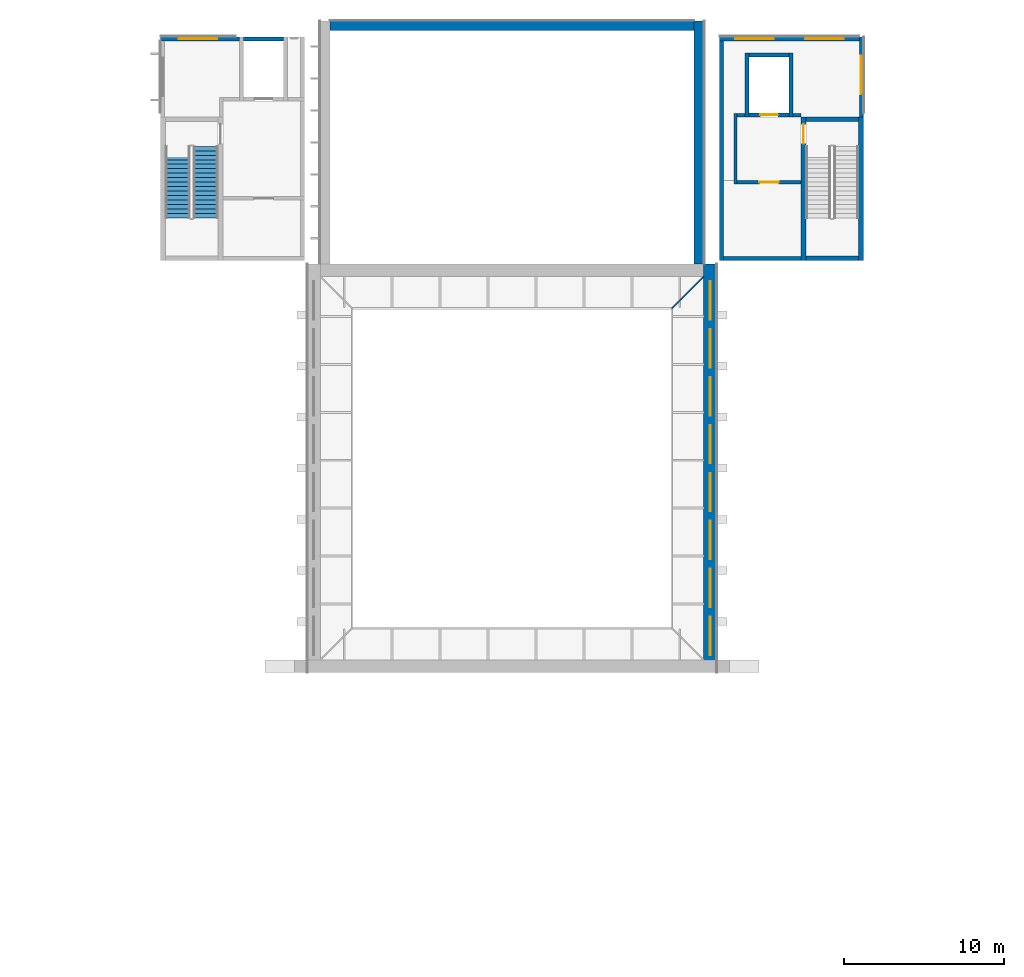
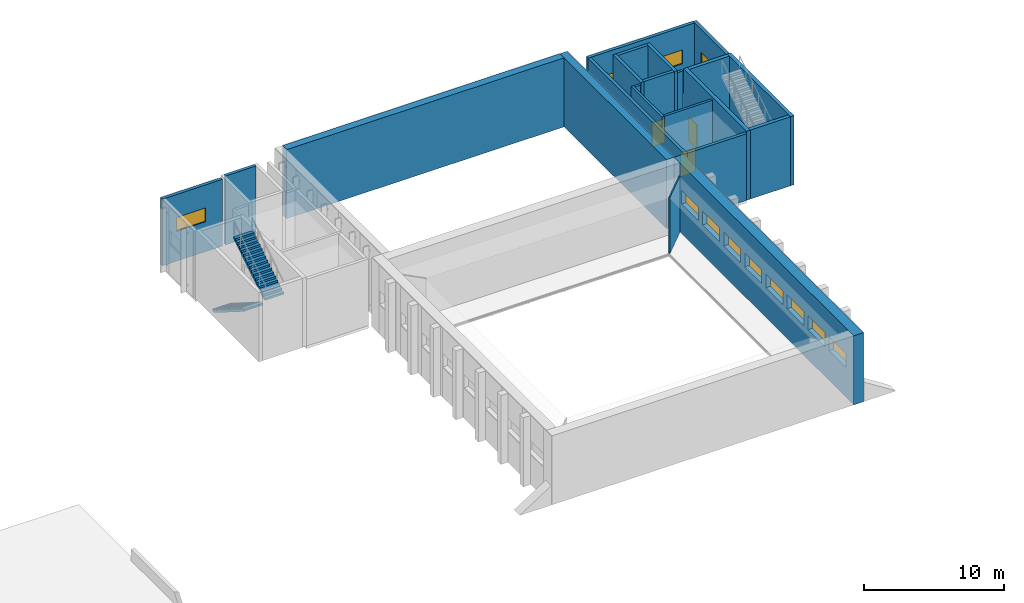
# One storey, part 13 of 22: 22 walls, 12 windows, 3 doors, 2 stair flights, 15 openings, 1 element without a shape of its own.
"""IFC4 building model written with IfcOpenShell, lengths in metres."""

from ifc_helpers import new_model, si_unit, direction, frame, frame_2d, origin, place, context, subcontext, project, spatial, polyline, rectangle, outline, extrude, material, layer, layer_set, type_object, element, fill, aggregate, save


model = new_model("IFC4")

# Units and contexts
model_context = context("Model", 3, precision=1e-05, world=origin(), true_north=direction((0.0, 1.0)))
body_context = subcontext(model_context, "Body", "Model", "MODEL_VIEW")
ifc_project = project(units=[si_unit("LENGTHUNIT", "METRE"), si_unit("AREAUNIT", "SQUARE_METRE"), si_unit("VOLUMEUNIT", "CUBIC_METRE"), si_unit("PLANEANGLEUNIT", "RADIAN"), si_unit("MASSUNIT", "GRAM", prefix="KILO")], contexts=[model_context])

# Site, building, storey
site_placement = place(None, origin())
site = spatial("IfcSite", under=ifc_project, at=site_placement, CompositionType="ELEMENT")
building_placement = place(site_placement, origin())
building = spatial("IfcBuilding", under=site, at=building_placement, Name="Lunette Opera House", CompositionType="ELEMENT")
storey_placement = place(building_placement, frame((0.0, 0.0, 28.0)))
storey = spatial("IfcBuildingStorey", under=building, at=storey_placement, Name="L05", CompositionType="ELEMENT", Elevation=28.0)

# Walls
ifc_material_1 = material(Name="Concrete C35/45", Category="concrete")
ifc_layer_1 = layer(ifc_material_1, 0.199951171875)
ifc_layer_set_1 = layer_set([ifc_layer_1], Name="Concrete C35/45")
wall_type_1 = type_object("IfcWallType", Name="LOBBY WALL 200", PredefinedType="PARTITIONING", material=ifc_layer_set_1)
wall_1_placement = place(storey_placement, frame((114.080078125, 130.10009765625, 0.0), z_axis=(0.0, 0.0, 1.0), x_axis=(-1.0, 0.0, 0.0)))
element("IfcWall", 1, at=wall_1_placement, inside=storey, type_object=wall_type_1, Name="FL3 lobby wall 2a", PredefinedType="PARTITIONING", context=body_context, shape_type="SweptSolid", body=[
    extrude(rectangle(XDim=0.489990234375, YDim=0.199951171875, at=frame_2d((0.2451171875, 0.0))), origin(), (0.0, 0.0, 1.0), 5.800048828125),
])
wall_2_placement = place(storey_placement, frame((110.580078125, 130.10009765625, 0.0), z_axis=(0.0, 0.0, 1.0), x_axis=(-1.0, 0.0, 0.0)))
element("IfcWall", 2, at=wall_2_placement, inside=storey, type_object=wall_type_1, Name="FL3 lobby wall 2b", PredefinedType="PARTITIONING", context=body_context, shape_type="SweptSolid", body=[
    extrude(rectangle(XDim=0.47998046875, YDim=0.199951171875, at=frame_2d((0.239990234375, 0.0))), origin(), (0.0, 0.0, 1.0), 5.800048828125),
])
wall_3_placement = place(storey_placement, frame((110.0, 130.199951171875, 0.0), z_axis=(0.0, 0.0, 1.0), x_axis=(0.0, -1.0, 0.0)))
element("IfcWall", 3, at=wall_3_placement, inside=storey, type_object=wall_type_1, Name="FL3 lobby wall 3a", PredefinedType="PARTITIONING", context=body_context, shape_type="SweptSolid", body=[
    extrude(rectangle(XDim=4.39990234375, YDim=0.199951171875, at=frame_2d((2.199951171875, 0.0))), origin(), (0.0, 0.0, 1.0), 5.800048828125),
])

# Wall, opening, door
wall_4_placement = place(storey_placement, frame((110.10009765625, 125.89990234375, 0.0), z_axis=(0.0, 0.0, 1.0), x_axis=(1.0, 0.0, 0.0)))
wall_4 = element("IfcWall", 4, at=wall_4_placement, inside=storey, type_object=wall_type_1, Name="FL3 lobby wall 4a", PredefinedType="PARTITIONING", context=body_context, shape_type="SweptSolid", body=[
    extrude(rectangle(XDim=3.97998046875, YDim=0.199951171875, at=frame_2d((1.989990234375, 0.0))), origin(), (0.0, 0.0, 1.0), 5.800048828125),
])
opening_1_placement = place(wall_4_placement, frame((1.389892578125, 0.0, 0.0)))
opening_1 = element("IfcOpeningElement", 5, at=opening_1_placement, cuts=wall_4, Name="Opening ST-D7030", PredefinedType="OPENING", context=body_context, shape_type="SweptSolid", body=[
    extrude(rectangle(XDim=1.199951171875, YDim=2.10009765625, at=frame_2d((0.60009765625, 1.050048828125))), frame((0.0, 0.112060546875, 0.0), z_axis=(0.0, -1.0, 0.0), x_axis=(1.0, 0.0, 0.0)), (0.0, 0.0, 1.0), 0.223876953125),
])
ifc_material_2 = material(Name="Steel", Category="steel")
door_type_1 = type_object("IfcDoorType", Name="FIRE DOOR 1200 X 2100", OperationType="SINGLE_SWING_LEFT", PredefinedType="DOOR", material=ifc_material_2)
door_1_placement = place(opening_1_placement, origin())
door_1 = element("IfcDoor", 6, at=door_1_placement, inside=storey, type_object=door_type_1, Name="FL3 lobby door", OperationType="SINGLE_SWING_LEFT", OverallHeight=2.10009765625, OverallWidth=1.199951171875, PredefinedType="DOOR", context=body_context, shape_type="SweptSolid", body=[
    extrude(rectangle(XDim=1.199951171875, YDim=2.10009765625, at=frame_2d((0.60009765625, 1.050048828125))), frame((0.0, 0.02490234375, 0.0), z_axis=(0.0, -1.0, 0.0), x_axis=(1.0, 0.0, 0.0)), (0.0, 0.0, 1.0), 0.050048828125),
])
fill(opening_1, door_1)

# Walls
ifc_material_3 = material(Name="Concrete C35/45", Category="concrete")
ifc_layer_2 = layer(ifc_material_3, 0.25)
ifc_layer_set_2 = layer_set([ifc_layer_2], Name="Concrete C35/45")
wall_type_2 = type_object("IfcWallType", Name="RC LIFT SHAFT WALL 250", PredefinedType="SOLIDWALL", material=ifc_layer_set_2)
wall_5_placement = place(storey_placement, frame((113.47509765625, 130.0, 0.0), z_axis=(0.0, 0.0, 1.0), x_axis=(0.0, 1.0, 0.0)))
element("IfcWall", 7, at=wall_5_placement, inside=storey, type_object=wall_type_2, Name="FL3 shaft wall 1", PredefinedType="SOLIDWALL", context=body_context, shape_type="SweptSolid", body=[
    extrude(rectangle(XDim=4.0, YDim=0.25, at=frame_2d((2.0, 0.0))), origin(), (0.0, 0.0, 1.0), 6.0),
])
wall_6_placement = place(storey_placement, frame((113.35009765625, 133.875, 0.0), z_axis=(0.0, 0.0, 1.0), x_axis=(-1.0, 0.0, 0.0)))
element("IfcWall", 8, at=wall_6_placement, inside=storey, type_object=wall_type_2, Name="FL3 shaft wall 2", PredefinedType="SOLIDWALL", context=body_context, shape_type="SweptSolid", body=[
    extrude(rectangle(XDim=2.5, YDim=0.25, at=frame_2d((1.25, 0.0))), origin(), (0.0, 0.0, 1.0), 6.0),
])
wall_7_placement = place(storey_placement, frame((110.72509765625, 134.0, 0.0), z_axis=(0.0, 0.0, 1.0), x_axis=(0.0, -1.0, 0.0)))
element("IfcWall", 9, at=wall_7_placement, inside=storey, type_object=wall_type_2, Name="FL3 shaft wall 3", PredefinedType="SOLIDWALL", context=body_context, shape_type="SweptSolid", body=[
    extrude(rectangle(XDim=4.0, YDim=0.25, at=frame_2d((2.0, 0.0))), origin(), (0.0, 0.0, 1.0), 6.0),
])

# Wall, opening, door
wall_8_placement = place(storey_placement, frame((110.85009765625, 130.125, 0.0), z_axis=(0.0, 0.0, 1.0), x_axis=(1.0, 0.0, 0.0)))
wall_8 = element("IfcWall", 10, at=wall_8_placement, inside=storey, type_object=wall_type_2, Name="FL3 shaft wall 4", PredefinedType="SOLIDWALL", context=body_context, shape_type="SweptSolid", body=[
    extrude(rectangle(XDim=2.5, YDim=0.25, at=frame_2d((1.25, 0.0))), origin(), (0.0, 0.0, 1.0), 6.0),
])
opening_2_placement = place(wall_8_placement, frame((0.699951171875, 0.0, 0.0)))
opening_2 = element("IfcOpeningElement", 11, at=opening_2_placement, cuts=wall_8, Name="Opening ST-LD008", PredefinedType="OPENING", context=body_context, shape_type="SweptSolid", body=[
    extrude(rectangle(XDim=1.10009765625, YDim=2.10009765625, at=frame_2d((0.550048828125, 1.050048828125))), frame((0.0, 0.136962890625, 0.0), z_axis=(0.0, -1.0, 0.0), x_axis=(1.0, 0.0, 0.0)), (0.0, 0.0, 1.0), 0.27392578125),
])
ifc_material_4 = material(Name="Stainless steel", Category="steel")
door_type_2 = type_object("IfcDoorType", Name="LIFT LANDING DOOR 1100 X 2100", OperationType="DOUBLE_DOOR_SLIDING", PredefinedType="DOOR", material=ifc_material_4)
door_2_placement = place(opening_2_placement, origin())
door_2 = element("IfcDoor", 12, at=door_2_placement, inside=storey, type_object=door_type_2, Name="FL3 lift landing door", OperationType="DOUBLE_DOOR_SLIDING", OverallHeight=2.10009765625, OverallWidth=1.10009765625, PredefinedType="DOOR", context=body_context, shape_type="SweptSolid", body=[
    extrude(rectangle(XDim=1.10009765625, YDim=2.10009765625, at=frame_2d((0.550048828125, 1.050048828125))), frame((0.0, 0.02490234375, 0.0), z_axis=(0.0, -1.0, 0.0), x_axis=(1.0, 0.0, 0.0)), (0.0, 0.0, 1.0), 0.050048828125),
])
fill(opening_2, door_2)

# Walls
wall_9_placement = place(storey_placement, frame((81.699951171875, 134.875, 0.0), z_axis=(0.0, 0.0, 1.0), x_axis=(-1.0, 0.0, 0.0)))
element("IfcWall", 13, at=wall_9_placement, inside=storey, type_object=wall_type_2, Name="LF7 shaft wall 2", PredefinedType="SOLIDWALL", context=body_context, shape_type="SweptSolid", body=[
    extrude(rectangle(XDim=2.5, YDim=0.25, at=frame_2d((1.25, 0.0))), origin(), (0.0, 0.0, 1.0), 6.0),
])
ifc_material_5 = material(Name="Concrete C35/45", Category="concrete")
ifc_layer_3 = layer(ifc_material_5, 0.300048828125)
ifc_layer_set_3 = layer_set([ifc_layer_3], Name="Concrete C35/45")
wall_type_3 = type_object("IfcWallType", Name="RC STAIR ENCLOSURE WALL 300", PredefinedType="SOLIDWALL", material=ifc_layer_set_3)
wall_10_placement = place(storey_placement, frame((117.85009765625, 121.0, 0.0), z_axis=(0.0, 0.0, 1.0), x_axis=(0.0, 1.0, 0.0)))
element("IfcWall", 14, at=wall_10_placement, inside=storey, type_object=wall_type_3, Name="ST12 enclosure wall 1", PredefinedType="SOLIDWALL", context=body_context, shape_type="SweptSolid", body=[
    extrude(rectangle(XDim=9.0, YDim=0.300048828125, at=frame_2d((4.5, 0.0))), origin(), (0.0, 0.0, 1.0), 6.0),
])
wall_11_placement = place(storey_placement, frame((117.699951171875, 129.85009765625, 0.0), z_axis=(0.0, 0.0, 1.0), x_axis=(-1.0, 0.0, 0.0)))
element("IfcWall", 15, at=wall_11_placement, inside=storey, type_object=wall_type_3, Name="ST12 enclosure wall 2", PredefinedType="SOLIDWALL", context=body_context, shape_type="SweptSolid", body=[
    extrude(rectangle(XDim=3.300048828125, YDim=0.300048828125, at=frame_2d((1.64990234375, 0.0))), origin(), (0.0, 0.0, 1.0), 6.0),
])

# Wall, opening, door
wall_12_placement = place(storey_placement, frame((114.25, 130.0, 0.0), z_axis=(0.0, 0.0, 1.0), x_axis=(0.0, -1.0, 0.0)))
wall_12 = element("IfcWall", 16, at=wall_12_placement, inside=storey, type_object=wall_type_3, Name="ST12 enclosure wall 3", PredefinedType="SOLIDWALL", context=body_context, shape_type="SweptSolid", body=[
    extrude(rectangle(XDim=9.0, YDim=0.300048828125, at=frame_2d((4.5, 0.0))), origin(), (0.0, 0.0, 1.0), 6.0),
])
opening_3_placement = place(wall_12_placement, frame((0.47509765625, 0.0, 0.0)))
opening_3 = element("IfcOpeningElement", 17, at=opening_3_placement, cuts=wall_12, Name="Opening ST-D7017", PredefinedType="OPENING", context=body_context, shape_type="SweptSolid", body=[
    extrude(rectangle(XDim=1.199951171875, YDim=2.10009765625, at=frame_2d((0.60009765625, 1.050048828125))), frame((0.0, 0.162109375, 0.0), z_axis=(0.0, -1.0, 0.0), x_axis=(1.0, 0.0, 0.0)), (0.0, 0.0, 1.0), 0.323974609375),
])
door_3_placement = place(opening_3_placement, origin())
door_3 = element("IfcDoor", 18, at=door_3_placement, inside=storey, type_object=door_type_1, Name="ST12 stair door", OperationType="SINGLE_SWING_LEFT", OverallHeight=2.10009765625, OverallWidth=1.199951171875, PredefinedType="DOOR", context=body_context, shape_type="SweptSolid", body=[
    extrude(rectangle(XDim=1.199951171875, YDim=2.10009765625, at=frame_2d((0.60009765625, 1.050048828125))), frame((0.0, 0.02490234375, 0.0), z_axis=(0.0, -1.0, 0.0), x_axis=(1.0, 0.0, 0.0)), (0.0, 0.0, 1.0), 0.050048828125),
])
fill(opening_3, door_3)

# Walls
wall_13_placement = place(storey_placement, frame((114.39990234375, 121.14990234375, 0.0), z_axis=(0.0, 0.0, 1.0), x_axis=(1.0, 0.0, 0.0)))
element("IfcWall", 19, at=wall_13_placement, inside=storey, type_object=wall_type_3, Name="ST12 enclosure wall 4", PredefinedType="SOLIDWALL", context=body_context, shape_type="SweptSolid", body=[
    extrude(rectangle(XDim=3.300048828125, YDim=0.300048828125, at=frame_2d((1.64990234375, 0.0))), origin(), (0.0, 0.0, 1.0), 6.0),
])
ifc_material_6 = material(Name="Concrete C35/45", Category="concrete")
ifc_layer_4 = layer(ifc_material_6, 0.60009765625)
ifc_layer_set_4 = layer_set([ifc_layer_4], Name="Concrete C35/45")
wall_type_4 = type_object("IfcWallType", Name="RC WALL 600", PredefinedType="SHEAR", material=ifc_layer_set_4)
wall_14_placement = place(storey_placement, frame((107.699951171875, 120.800048828125, 0.0), z_axis=(0.0, 0.0, 1.0), x_axis=(0.0, 1.0, 0.0)))
element("IfcWall", 20, at=wall_14_placement, inside=storey, type_object=wall_type_4, Name="wall-ST-L05-SR-E-1", PredefinedType="SHEAR", context=body_context, shape_type="SweptSolid", body=[
    extrude(rectangle(XDim=15.199951171875, YDim=0.60009765625, at=frame_2d((7.60009765625, 0.0))), origin(), (0.0, 0.0, 1.0), 6.0),
])
wall_15_placement = place(storey_placement, frame((84.60009765625, 135.699951171875, 0.0), z_axis=(0.0, 0.0, 1.0), x_axis=(1.0, 0.0, 0.0)))
element("IfcWall", 21, at=wall_15_placement, inside=storey, type_object=wall_type_4, Name="wall-ST-L05-SR-N-1", PredefinedType="SHEAR", context=body_context, shape_type="SweptSolid", body=[
    extrude(rectangle(XDim=22.7998046875, YDim=0.60009765625, at=frame_2d((11.39990234375, 0.0))), origin(), (0.0, 0.0, 1.0), 6.0),
])

# Wall, openings, windows
ifc_material_7 = material(Name="Concrete C40/50", Category="concrete")
ifc_layer_5 = layer(ifc_material_7, 0.800048828125)
ifc_layer_set_5 = layer_set([ifc_layer_5], Name="Concrete C40/50")
wall_type_5 = type_object("IfcWallType", Name="RC WALL 800", PredefinedType="SHEAR", material=ifc_layer_set_5)
wall_16_placement = place(storey_placement, frame((108.39990234375, 95.199951171875, 0.0), z_axis=(0.0, 0.0, 1.0), x_axis=(0.0, 1.0, 0.0)))
wall_16 = element("IfcWall", 22, at=wall_16_placement, inside=storey, type_object=wall_type_5, Name="wall-ST-L05-WE-1", PredefinedType="SHEAR", context=body_context, shape_type="SweptSolid", body=[
    extrude(rectangle(XDim=25.60009765625, YDim=0.800048828125, at=frame_2d((12.800048828125, 0.0))), origin(), (0.0, 0.0, 1.0), 6.0),
])
opening_4_placement = place(wall_16_placement, frame((1.10009765625, 0.0, 2.60009765625)))
opening_4 = element("IfcOpeningElement", 23, at=opening_4_placement, cuts=wall_16, Name="Opening ST-N2041", PredefinedType="OPENING", context=body_context, shape_type="SweptSolid", body=[
    extrude(rectangle(XDim=2.39990234375, YDim=1.199951171875, at=frame_2d((1.199951171875, 0.60009765625))), frame((0.0, 0.412109375, 0.0), z_axis=(0.0, -1.0, 0.0), x_axis=(1.0, 0.0, 0.0)), (0.0, 0.0, 1.0), 0.823974609375),
])
opening_5_placement = place(wall_16_placement, frame((4.10009765625, 0.0, 2.60009765625)))
opening_5 = element("IfcOpeningElement", 24, at=opening_5_placement, cuts=wall_16, Name="Opening ST-N2042", PredefinedType="OPENING", context=body_context, shape_type="SweptSolid", body=[
    extrude(rectangle(XDim=2.39990234375, YDim=1.199951171875, at=frame_2d((1.199951171875, 0.60009765625))), frame((0.0, 0.412109375, 0.0), z_axis=(0.0, -1.0, 0.0), x_axis=(1.0, 0.0, 0.0)), (0.0, 0.0, 1.0), 0.823974609375),
])
opening_6_placement = place(wall_16_placement, frame((7.10009765625, 0.0, 2.60009765625)))
opening_6 = element("IfcOpeningElement", 25, at=opening_6_placement, cuts=wall_16, Name="Opening ST-N2043", PredefinedType="OPENING", context=body_context, shape_type="SweptSolid", body=[
    extrude(rectangle(XDim=2.39990234375, YDim=1.199951171875, at=frame_2d((1.199951171875, 0.60009765625))), frame((0.0, 0.412109375, 0.0), z_axis=(0.0, -1.0, 0.0), x_axis=(1.0, 0.0, 0.0)), (0.0, 0.0, 1.0), 0.823974609375),
])
opening_7_placement = place(wall_16_placement, frame((10.10009765625, 0.0, 2.60009765625)))
opening_7 = element("IfcOpeningElement", 26, at=opening_7_placement, cuts=wall_16, Name="Opening ST-N2044", PredefinedType="OPENING", context=body_context, shape_type="SweptSolid", body=[
    extrude(rectangle(XDim=2.39990234375, YDim=1.199951171875, at=frame_2d((1.199951171875, 0.60009765625))), frame((0.0, 0.412109375, 0.0), z_axis=(0.0, -1.0, 0.0), x_axis=(1.0, 0.0, 0.0)), (0.0, 0.0, 1.0), 0.823974609375),
])
opening_8_placement = place(wall_16_placement, frame((13.10009765625, 0.0, 2.60009765625)))
opening_8 = element("IfcOpeningElement", 27, at=opening_8_placement, cuts=wall_16, Name="Opening ST-N2045", PredefinedType="OPENING", context=body_context, shape_type="SweptSolid", body=[
    extrude(rectangle(XDim=2.39990234375, YDim=1.199951171875, at=frame_2d((1.199951171875, 0.60009765625))), frame((0.0, 0.412109375, 0.0), z_axis=(0.0, -1.0, 0.0), x_axis=(1.0, 0.0, 0.0)), (0.0, 0.0, 1.0), 0.823974609375),
])
opening_9_placement = place(wall_16_placement, frame((16.10009765625, 0.0, 2.60009765625)))
opening_9 = element("IfcOpeningElement", 28, at=opening_9_placement, cuts=wall_16, Name="Opening ST-N2046", PredefinedType="OPENING", context=body_context, shape_type="SweptSolid", body=[
    extrude(rectangle(XDim=2.39990234375, YDim=1.199951171875, at=frame_2d((1.199951171875, 0.60009765625))), frame((0.0, 0.412109375, 0.0), z_axis=(0.0, -1.0, 0.0), x_axis=(1.0, 0.0, 0.0)), (0.0, 0.0, 1.0), 0.823974609375),
])
opening_10_placement = place(wall_16_placement, frame((19.10009765625, 0.0, 2.60009765625)))
opening_10 = element("IfcOpeningElement", 29, at=opening_10_placement, cuts=wall_16, Name="Opening ST-N2047", PredefinedType="OPENING", context=body_context, shape_type="SweptSolid", body=[
    extrude(rectangle(XDim=2.39990234375, YDim=1.199951171875, at=frame_2d((1.199951171875, 0.60009765625))), frame((0.0, 0.412109375, 0.0), z_axis=(0.0, -1.0, 0.0), x_axis=(1.0, 0.0, 0.0)), (0.0, 0.0, 1.0), 0.823974609375),
])
opening_11_placement = place(wall_16_placement, frame((22.10009765625, 0.0, 2.60009765625)))
opening_11 = element("IfcOpeningElement", 30, at=opening_11_placement, cuts=wall_16, Name="Opening ST-N2048", PredefinedType="OPENING", context=body_context, shape_type="SweptSolid", body=[
    extrude(rectangle(XDim=2.39990234375, YDim=1.199951171875, at=frame_2d((1.199951171875, 0.60009765625))), frame((0.0, 0.412109375, 0.0), z_axis=(0.0, -1.0, 0.0), x_axis=(1.0, 0.0, 0.0)), (0.0, 0.0, 1.0), 0.823974609375),
])
ifc_material_8 = material(Name="Aluminium", Category="aluminium")
window_type = type_object("IfcWindowType", Name="TOWER RIBBON WINDOW 2400 X 1200", PartitioningType="SINGLE_PANEL", PredefinedType="WINDOW", material=ifc_material_8)
window_1_placement = place(opening_4_placement, origin())
window_1 = element("IfcWindow", 31, at=window_1_placement, inside=storey, type_object=window_type, Name="Tower Ribbon Window 2400 X 1200 TWE1 L05", OverallHeight=1.199951171875, OverallWidth=2.39990234375, PartitioningType="SINGLE_PANEL", PredefinedType="WINDOW", context=body_context, shape_type="SweptSolid", body=[
    extrude(rectangle(XDim=2.39990234375, YDim=1.199951171875, at=frame_2d((1.199951171875, 0.60009765625))), frame((0.0, 0.030029296875, 0.0), z_axis=(0.0, -1.0, 0.0), x_axis=(1.0, 0.0, 0.0)), (0.0, 0.0, 1.0), 0.06005859375),
])
fill(opening_4, window_1)
window_2_placement = place(opening_5_placement, origin())
window_2 = element("IfcWindow", 32, at=window_2_placement, inside=storey, type_object=window_type, Name="Tower Ribbon Window 2400 X 1200 TWE2 L05", OverallHeight=1.199951171875, OverallWidth=2.39990234375, PartitioningType="SINGLE_PANEL", PredefinedType="WINDOW", context=body_context, shape_type="SweptSolid", body=[
    extrude(rectangle(XDim=2.39990234375, YDim=1.199951171875, at=frame_2d((1.199951171875, 0.60009765625))), frame((0.0, 0.030029296875, 0.0), z_axis=(0.0, -1.0, 0.0), x_axis=(1.0, 0.0, 0.0)), (0.0, 0.0, 1.0), 0.06005859375),
])
fill(opening_5, window_2)
window_3_placement = place(opening_6_placement, origin())
window_3 = element("IfcWindow", 33, at=window_3_placement, inside=storey, type_object=window_type, Name="Tower Ribbon Window 2400 X 1200 TWE3 L05", OverallHeight=1.199951171875, OverallWidth=2.39990234375, PartitioningType="SINGLE_PANEL", PredefinedType="WINDOW", context=body_context, shape_type="SweptSolid", body=[
    extrude(rectangle(XDim=2.39990234375, YDim=1.199951171875, at=frame_2d((1.199951171875, 0.60009765625))), frame((0.0, 0.030029296875, 0.0), z_axis=(0.0, -1.0, 0.0), x_axis=(1.0, 0.0, 0.0)), (0.0, 0.0, 1.0), 0.06005859375),
])
fill(opening_6, window_3)
window_4_placement = place(opening_7_placement, origin())
window_4 = element("IfcWindow", 34, at=window_4_placement, inside=storey, type_object=window_type, Name="Tower Ribbon Window 2400 X 1200 TWE4 L05", OverallHeight=1.199951171875, OverallWidth=2.39990234375, PartitioningType="SINGLE_PANEL", PredefinedType="WINDOW", context=body_context, shape_type="SweptSolid", body=[
    extrude(rectangle(XDim=2.39990234375, YDim=1.199951171875, at=frame_2d((1.199951171875, 0.60009765625))), frame((0.0, 0.030029296875, 0.0), z_axis=(0.0, -1.0, 0.0), x_axis=(1.0, 0.0, 0.0)), (0.0, 0.0, 1.0), 0.06005859375),
])
fill(opening_7, window_4)
window_5_placement = place(opening_8_placement, origin())
window_5 = element("IfcWindow", 35, at=window_5_placement, inside=storey, type_object=window_type, Name="Tower Ribbon Window 2400 X 1200 TWE5 L05", OverallHeight=1.199951171875, OverallWidth=2.39990234375, PartitioningType="SINGLE_PANEL", PredefinedType="WINDOW", context=body_context, shape_type="SweptSolid", body=[
    extrude(rectangle(XDim=2.39990234375, YDim=1.199951171875, at=frame_2d((1.199951171875, 0.60009765625))), frame((0.0, 0.030029296875, 0.0), z_axis=(0.0, -1.0, 0.0), x_axis=(1.0, 0.0, 0.0)), (0.0, 0.0, 1.0), 0.06005859375),
])
fill(opening_8, window_5)
window_6_placement = place(opening_9_placement, origin())
window_6 = element("IfcWindow", 36, at=window_6_placement, inside=storey, type_object=window_type, Name="Tower Ribbon Window 2400 X 1200 TWE6 L05", OverallHeight=1.199951171875, OverallWidth=2.39990234375, PartitioningType="SINGLE_PANEL", PredefinedType="WINDOW", context=body_context, shape_type="SweptSolid", body=[
    extrude(rectangle(XDim=2.39990234375, YDim=1.199951171875, at=frame_2d((1.199951171875, 0.60009765625))), frame((0.0, 0.030029296875, 0.0), z_axis=(0.0, -1.0, 0.0), x_axis=(1.0, 0.0, 0.0)), (0.0, 0.0, 1.0), 0.06005859375),
])
fill(opening_9, window_6)
window_7_placement = place(opening_10_placement, origin())
window_7 = element("IfcWindow", 37, at=window_7_placement, inside=storey, type_object=window_type, Name="Tower Ribbon Window 2400 X 1200 TWE7 L05", OverallHeight=1.199951171875, OverallWidth=2.39990234375, PartitioningType="SINGLE_PANEL", PredefinedType="WINDOW", context=body_context, shape_type="SweptSolid", body=[
    extrude(rectangle(XDim=2.39990234375, YDim=1.199951171875, at=frame_2d((1.199951171875, 0.60009765625))), frame((0.0, 0.030029296875, 0.0), z_axis=(0.0, -1.0, 0.0), x_axis=(1.0, 0.0, 0.0)), (0.0, 0.0, 1.0), 0.06005859375),
])
fill(opening_10, window_7)
window_8_placement = place(opening_11_placement, origin())
window_8 = element("IfcWindow", 38, at=window_8_placement, inside=storey, type_object=window_type, Name="Tower Ribbon Window 2400 X 1200 TWE8 L05", OverallHeight=1.199951171875, OverallWidth=2.39990234375, PartitioningType="SINGLE_PANEL", PredefinedType="WINDOW", context=body_context, shape_type="SweptSolid", body=[
    extrude(rectangle(XDim=2.39990234375, YDim=1.199951171875, at=frame_2d((1.199951171875, 0.60009765625))), frame((0.0, 0.030029296875, 0.0), z_axis=(0.0, -1.0, 0.0), x_axis=(1.0, 0.0, 0.0)), (0.0, 0.0, 1.0), 0.06005859375),
])
fill(opening_11, window_8)

# Wall, opening, window
ifc_material_9 = material(Name="Insulated aluminium sandwich panel", Category="aluminium")
ifc_layer_6 = layer(ifc_material_9, 0.25)
ifc_layer_set_6 = layer_set([ifc_layer_6], Name="Insulated aluminium sandwich panel")
wall_type_6 = type_object("IfcWallType", Name="STAGE TOWER WALL 250", PredefinedType="SOLIDWALL", material=ifc_layer_set_6)
wall_17_placement = place(storey_placement, frame((78.947998046875, 134.875, 0.0), z_axis=(0.0, 0.0, 1.0), x_axis=(-1.0, 0.0, 0.0)))
wall_17 = element("IfcWall", 39, at=wall_17_placement, inside=storey, type_object=wall_type_6, Name="Stage Tower Wall 250 TW-041 L05", PredefinedType="SOLIDWALL", context=body_context, shape_type="SweptSolid", body=[
    extrude(rectangle(XDim=4.947998046875, YDim=0.25, at=frame_2d((2.47412109375, 0.0))), origin(), (0.0, 0.0, 1.0), 5.800048828125),
])
opening_12_placement = place(wall_17_placement, frame((1.39599609375, 0.0, 2.60009765625)))
opening_12 = element("IfcOpeningElement", 40, at=opening_12_placement, cuts=wall_17, Name="Opening ST-N2147", PredefinedType="OPENING", context=body_context, shape_type="SweptSolid", body=[
    extrude(rectangle(XDim=2.39990234375, YDim=1.199951171875, at=frame_2d((1.199951171875, 0.60009765625))), frame((0.0, 0.136962890625, 0.0), z_axis=(0.0, -1.0, 0.0), x_axis=(1.0, 0.0, 0.0)), (0.0, 0.0, 1.0), 0.27392578125),
])
window_9_placement = place(opening_12_placement, origin())
window_9 = element("IfcWindow", 41, at=window_9_placement, inside=storey, type_object=window_type, Name="Tower Ribbon Window 2400 X 1200 TTW41-1 L05", OverallHeight=1.199951171875, OverallWidth=2.39990234375, PartitioningType="SINGLE_PANEL", PredefinedType="WINDOW", context=body_context, shape_type="SweptSolid", body=[
    extrude(rectangle(XDim=2.39990234375, YDim=1.199951171875, at=frame_2d((1.199951171875, 0.60009765625))), frame((0.0, 0.030029296875, 0.0), z_axis=(0.0, -1.0, 0.0), x_axis=(1.0, 0.0, 0.0)), (0.0, 0.0, 1.0), 0.06005859375),
])
fill(opening_12, window_9)

wall_18_placement = place(storey_placement, frame((117.875, 129.9951171875, 0.0), z_axis=(0.0, 0.0, 1.0), x_axis=(0.0, 1.0, 0.0)))
wall_18 = element("IfcWall", 42, at=wall_18_placement, inside=storey, type_object=wall_type_6, Name="Stage Tower Wall 250 TE-047 L05", PredefinedType="SOLIDWALL", context=body_context, shape_type="SweptSolid", body=[
    extrude(rectangle(XDim=5.0048828125, YDim=0.25, at=frame_2d((2.50244140625, 0.0))), origin(), (0.0, 0.0, 1.0), 5.800048828125),
])
opening_13_placement = place(wall_18_placement, frame((1.429931640625, 0.0, 2.60009765625)))
opening_13 = element("IfcOpeningElement", 43, at=opening_13_placement, cuts=wall_18, Name="Opening ST-N2149", PredefinedType="OPENING", context=body_context, shape_type="SweptSolid", body=[
    extrude(rectangle(XDim=2.39990234375, YDim=1.199951171875, at=frame_2d((1.199951171875, 0.60009765625))), frame((0.0, 0.136962890625, 0.0), z_axis=(0.0, -1.0, 0.0), x_axis=(1.0, 0.0, 0.0)), (0.0, 0.0, 1.0), 0.27392578125),
])
window_10_placement = place(opening_13_placement, origin())
window_10 = element("IfcWindow", 44, at=window_10_placement, inside=storey, type_object=window_type, Name="Tower Ribbon Window 2400 X 1200 TTW47-1 L05", OverallHeight=1.199951171875, OverallWidth=2.39990234375, PartitioningType="SINGLE_PANEL", PredefinedType="WINDOW", context=body_context, shape_type="SweptSolid", body=[
    extrude(rectangle(XDim=2.39990234375, YDim=1.199951171875, at=frame_2d((1.199951171875, 0.60009765625))), frame((0.0, 0.030029296875, 0.0), z_axis=(0.0, -1.0, 0.0), x_axis=(1.0, 0.0, 0.0)), (0.0, 0.0, 1.0), 0.06005859375),
])
fill(opening_13, window_10)

# Wall, openings, windows
wall_19_placement = place(storey_placement, frame((117.75, 134.875, 0.0), z_axis=(0.0, 0.0, 1.0), x_axis=(-1.0, 0.0, 0.0)))
wall_19 = element("IfcWall", 45, at=wall_19_placement, inside=storey, type_object=wall_type_6, Name="Stage Tower Wall 250 TE-048 L05", PredefinedType="SOLIDWALL", context=body_context, shape_type="SweptSolid", body=[
    extrude(rectangle(XDim=8.75, YDim=0.25, at=frame_2d((4.375, 0.0))), origin(), (0.0, 0.0, 1.0), 5.800048828125),
])
opening_14_placement = place(wall_19_placement, frame((0.988037109375, 0.0, 2.60009765625)))
opening_14 = element("IfcOpeningElement", 46, at=opening_14_placement, cuts=wall_19, Name="Opening ST-N2150", PredefinedType="OPENING", context=body_context, shape_type="SweptSolid", body=[
    extrude(rectangle(XDim=2.39990234375, YDim=1.199951171875, at=frame_2d((1.199951171875, 0.60009765625))), frame((0.0, 0.136962890625, 0.0), z_axis=(0.0, -1.0, 0.0), x_axis=(1.0, 0.0, 0.0)), (0.0, 0.0, 1.0), 0.27392578125),
])
opening_15_placement = place(wall_19_placement, frame((5.362060546875, 0.0, 2.60009765625)))
opening_15 = element("IfcOpeningElement", 47, at=opening_15_placement, cuts=wall_19, Name="Opening ST-N2151", PredefinedType="OPENING", context=body_context, shape_type="SweptSolid", body=[
    extrude(rectangle(XDim=2.39990234375, YDim=1.199951171875, at=frame_2d((1.199951171875, 0.60009765625))), frame((0.0, 0.136962890625, 0.0), z_axis=(0.0, -1.0, 0.0), x_axis=(1.0, 0.0, 0.0)), (0.0, 0.0, 1.0), 0.27392578125),
])
window_11_placement = place(opening_14_placement, origin())
window_11 = element("IfcWindow", 48, at=window_11_placement, inside=storey, type_object=window_type, Name="Tower Ribbon Window 2400 X 1200 TTW48-1 L05", OverallHeight=1.199951171875, OverallWidth=2.39990234375, PartitioningType="SINGLE_PANEL", PredefinedType="WINDOW", context=body_context, shape_type="SweptSolid", body=[
    extrude(rectangle(XDim=2.39990234375, YDim=1.199951171875, at=frame_2d((1.199951171875, 0.60009765625))), frame((0.0, 0.030029296875, 0.0), z_axis=(0.0, -1.0, 0.0), x_axis=(1.0, 0.0, 0.0)), (0.0, 0.0, 1.0), 0.06005859375),
])
fill(opening_14, window_11)
window_12_placement = place(opening_15_placement, origin())
window_12 = element("IfcWindow", 49, at=window_12_placement, inside=storey, type_object=window_type, Name="Tower Ribbon Window 2400 X 1200 TTW48-2 L05", OverallHeight=1.199951171875, OverallWidth=2.39990234375, PartitioningType="SINGLE_PANEL", PredefinedType="WINDOW", context=body_context, shape_type="SweptSolid", body=[
    extrude(rectangle(XDim=2.39990234375, YDim=1.199951171875, at=frame_2d((1.199951171875, 0.60009765625))), frame((0.0, 0.030029296875, 0.0), z_axis=(0.0, -1.0, 0.0), x_axis=(1.0, 0.0, 0.0)), (0.0, 0.0, 1.0), 0.06005859375),
])
fill(opening_15, window_12)

# Walls
wall_20_placement = place(storey_placement, frame((109.125, 134.75, 0.0), z_axis=(0.0, 0.0, 1.0), x_axis=(0.0, -1.0, 0.0)))
element("IfcWall", 50, at=wall_20_placement, inside=storey, type_object=wall_type_6, Name="Stage Tower Wall 250 TE-049 L05", PredefinedType="SOLIDWALL", context=body_context, shape_type="SweptSolid", body=[
    extrude(rectangle(XDim=13.75, YDim=0.25, at=frame_2d((6.875, 0.0))), origin(), (0.0, 0.0, 1.0), 5.800048828125),
])
wall_21_placement = place(storey_placement, frame((109.25, 121.125, 0.0), z_axis=(0.0, 0.0, 1.0), x_axis=(1.0, 0.0, 0.0)))
element("IfcWall", 51, at=wall_21_placement, inside=storey, type_object=wall_type_6, Name="Stage Tower Wall 250 TE-050 L05", PredefinedType="SOLIDWALL", context=body_context, shape_type="SweptSolid", body=[
    extrude(rectangle(XDim=4.85205078125, YDim=0.25, at=frame_2d((2.426025390625, 0.0))), origin(), (0.0, 0.0, 1.0), 5.800048828125),
])
ifc_material_10 = material(Name="Gypsum board on steel studs", Category="steel")
ifc_layer_7 = layer(ifc_material_10, 0.10009765625)
ifc_layer_set_7 = layer_set([ifc_layer_7], Name="Gypsum board on steel studs")
wall_type_7 = type_object("IfcWallType", Name="STUD PARTITION 100", PredefinedType="PARTITIONING", material=ifc_layer_set_7)
wall_22_placement = place(storey_placement, frame((106.0, 118.0, 0.0), z_axis=(0.0, 0.0, 1.0), x_axis=(0.707106781187, 0.707106781187, 0.0)))
element("IfcWall", 52, at=wall_22_placement, inside=storey, type_object=wall_type_7, Name="Partition Fly Gallery 28 North", PredefinedType="PARTITIONING", context=body_context, shape_type="SweptSolid", body=[
    extrude(rectangle(XDim=2.8271484375, YDim=0.10009765625, at=frame_2d((1.41357421875, 0.0))), origin(), (0.0, 0.0, 1.0), 4.89990234375),
])

# Stair, stair flights
ifc_material_11 = material(Name="Concrete C35/45", Category="concrete")
stair_type = type_object("IfcStairType", Name="DOGLEG STAIR 1550", PredefinedType="HALF_TURN_STAIR", material=ifc_material_11)
stair_placement = place(storey_placement, origin())
stair = element("IfcStair", 53, at=stair_placement, inside=storey, type_object=stair_type, Name="L05 stair ST11", PredefinedType="HALF_TURN_STAIR")
ifc_material_12 = material(Name="Concrete C35/45", Category="concrete")
stair_flight_type = type_object("IfcStairFlightType", Name="STRAIGHT STAIR FLIGHT 1550", PredefinedType="STRAIGHT", material=ifc_material_12)
stair_flight_1_placement = place(storey_placement, frame((75.074951171875, 128.14990234375, 0.0), z_axis=(0.0, 0.0, 1.0), x_axis=(0.0, -1.0, 0.0)))
stair_flight_1 = element("IfcStairFlight", 54, at=stair_flight_1_placement, type_object=stair_flight_type, Name="ST11 flight 1", NumberOfRisers=17, NumberOfTreads=16, PredefinedType="STRAIGHT", RiserHeight=0.176470588, TreadLength=0.28, context=body_context, shape_type="SweptSolid", body=[
    extrude(outline(polyline([(0.0, 0.0), (0.0, 0.176513671875), (0.280029296875, 0.176513671875), (0.280029296875, 0.35302734375), (0.56005859375, 0.35302734375), (0.56005859375, 0.529296875), (0.840087890625, 0.529296875), (0.840087890625, 0.705810546875), (1.1201171875, 0.705810546875), (1.1201171875, 0.88232421875), (1.39990234375, 0.88232421875), (1.39990234375, 1.058837890625), (1.679931640625, 1.058837890625), (1.679931640625, 1.2353515625), (1.9599609375, 1.2353515625), (1.9599609375, 1.411865234375), (2.239990234375, 1.411865234375), (2.239990234375, 1.588134765625), (2.52001953125, 1.588134765625), (2.52001953125, 1.7646484375), (2.800048828125, 1.7646484375), (2.800048828125, 1.941162109375), (3.080078125, 1.941162109375), (3.080078125, 2.11767578125), (3.360107421875, 2.11767578125), (3.360107421875, 2.294189453125), (3.639892578125, 2.294189453125), (3.639892578125, 2.470703125), (3.919921875, 2.470703125), (3.919921875, 2.64697265625), (4.199951171875, 2.64697265625), (4.199951171875, 2.823486328125), (4.47998046875, 2.823486328125), (4.47998046875, 3.0), (4.47998046875, 2.646240234375), (0.28125, 0.0), (0.0, 0.0)])), frame((0.0, 0.77490234375, 0.0), z_axis=(0.0, -1.0, 0.0), x_axis=(1.0, 0.0, 0.0)), (0.0, 0.0, 1.0), 1.550048828125),
])
stair_flight_2_placement = place(storey_placement, frame((76.824951171875, 123.669921875, 3.0), z_axis=(0.0, 0.0, 1.0), x_axis=(0.0, 1.0, 0.0)))
stair_flight_2 = element("IfcStairFlight", 55, at=stair_flight_2_placement, type_object=stair_flight_type, Name="ST11 flight 2", NumberOfRisers=17, NumberOfTreads=16, PredefinedType="STRAIGHT", RiserHeight=0.176470588, TreadLength=0.28, context=body_context, shape_type="SweptSolid", body=[
    extrude(outline(polyline([(0.0, 0.0), (0.0, 0.176513671875), (0.280029296875, 0.176513671875), (0.280029296875, 0.35302734375), (0.56005859375, 0.35302734375), (0.56005859375, 0.529296875), (0.840087890625, 0.529296875), (0.840087890625, 0.705810546875), (1.1201171875, 0.705810546875), (1.1201171875, 0.88232421875), (1.39990234375, 0.88232421875), (1.39990234375, 1.058837890625), (1.679931640625, 1.058837890625), (1.679931640625, 1.2353515625), (1.9599609375, 1.2353515625), (1.9599609375, 1.411865234375), (2.239990234375, 1.411865234375), (2.239990234375, 1.588134765625), (2.52001953125, 1.588134765625), (2.52001953125, 1.7646484375), (2.800048828125, 1.7646484375), (2.800048828125, 1.941162109375), (3.080078125, 1.941162109375), (3.080078125, 2.11767578125), (3.360107421875, 2.11767578125), (3.360107421875, 2.294189453125), (3.639892578125, 2.294189453125), (3.639892578125, 2.470703125), (3.919921875, 2.470703125), (3.919921875, 2.64697265625), (4.199951171875, 2.64697265625), (4.199951171875, 2.823486328125), (4.47998046875, 2.823486328125), (4.47998046875, 3.0), (4.47998046875, 2.646240234375), (0.28125, 0.0), (0.0, 0.0)])), frame((0.0, 0.77490234375, 0.0), z_axis=(0.0, -1.0, 0.0), x_axis=(1.0, 0.0, 0.0)), (0.0, 0.0, 1.0), 1.550048828125),
])
aggregate(stair, [stair_flight_1, stair_flight_2])

save(model, "model.ifc")
